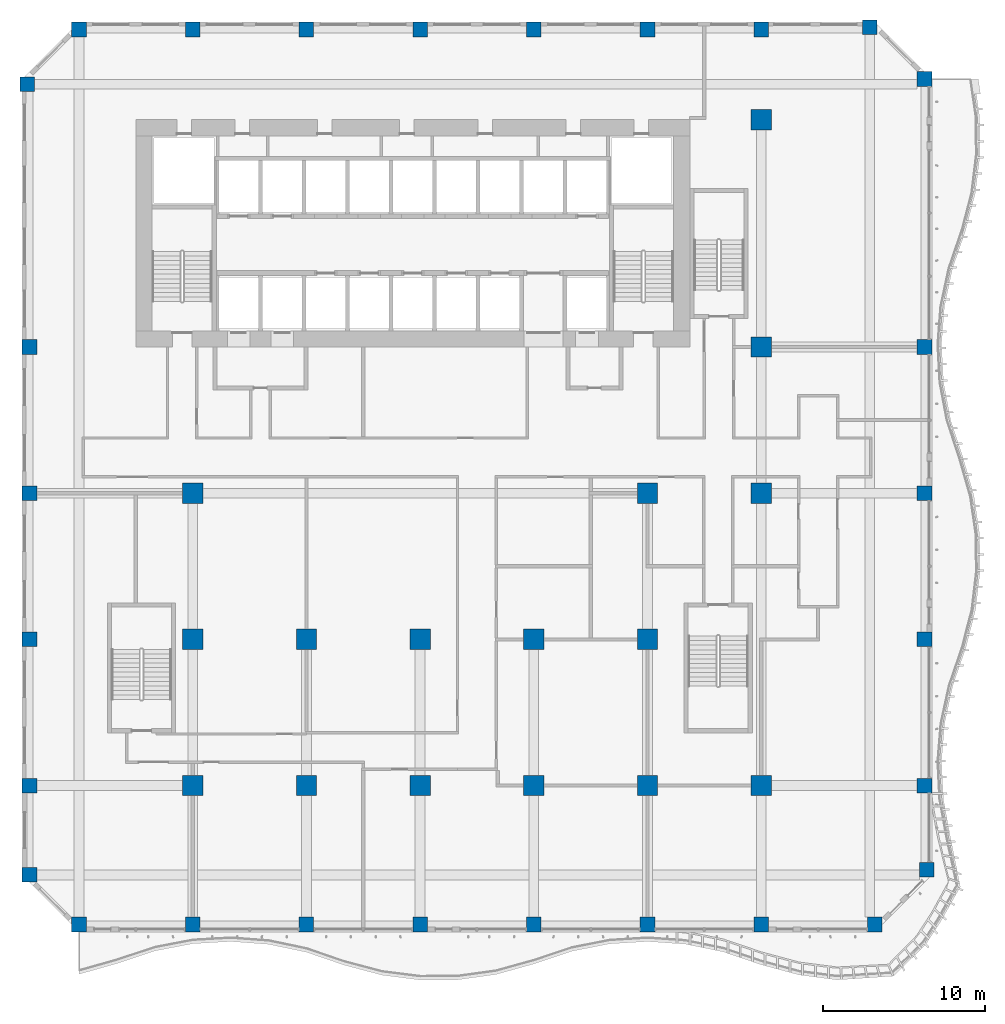
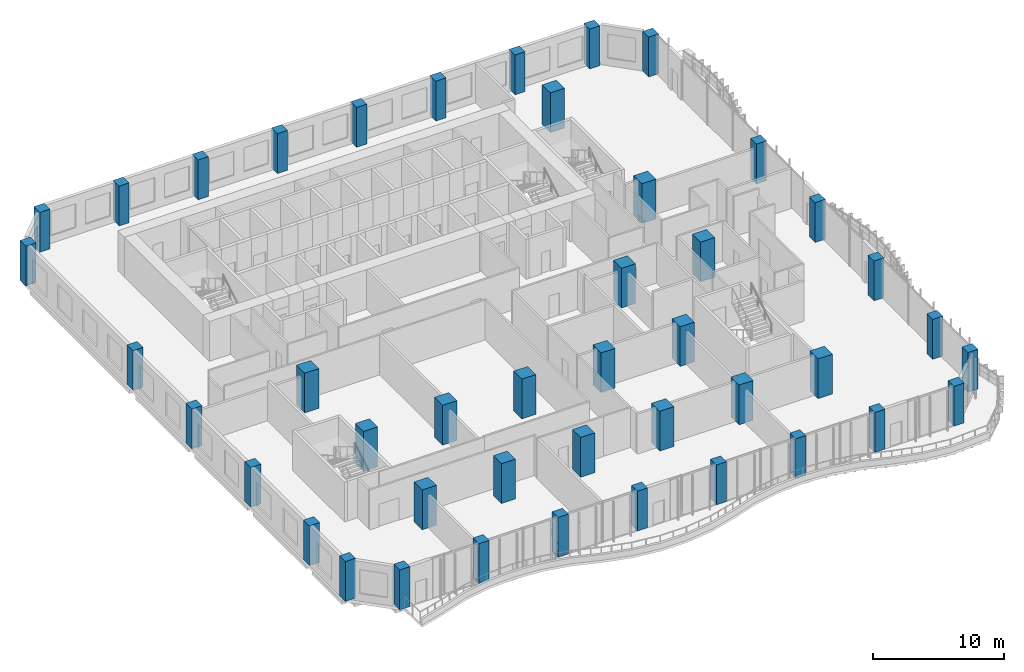
# One storey, part 1 of 28: 44 columns.
"""IFC4 building model written with IfcOpenShell, lengths in metres."""

from ifc_helpers import new_model, si_unit, direction, frame, origin, origin_2d, place, context, subcontext, project, spatial, rectangle, extrude, source, transform, mapped, material, material_profile, profile_set, type_object, element, save


model = new_model("IFC4")

# Units and contexts
model_context = context("Model", 3, precision=1e-05, world=origin(), true_north=direction((0.0, 1.0)))
body_context = subcontext(model_context, "Body", "Model", "MODEL_VIEW")
ifc_project = project(units=[si_unit("LENGTHUNIT", "METRE"), si_unit("AREAUNIT", "SQUARE_METRE"), si_unit("VOLUMEUNIT", "CUBIC_METRE"), si_unit("PLANEANGLEUNIT", "RADIAN"), si_unit("MASSUNIT", "GRAM", prefix="KILO")], contexts=[model_context])

# Site, building, storey
site_placement = place(None, origin())
site = spatial("IfcSite", under=ifc_project, at=site_placement, CompositionType="ELEMENT")
building_placement = place(site_placement, origin())
building = spatial("IfcBuilding", under=site, at=building_placement, Name="Kilnfold Tower and Market Hall", CompositionType="ELEMENT")
storey_placement = place(building_placement, frame((0.0, 0.0, 87.199951171875)))
storey = spatial("IfcBuildingStorey", under=building, at=storey_placement, Name="L20", CompositionType="ELEMENT", Elevation=87.199951171875)

# Columns
ifc_material_1 = material(Name="Concrete C80", Category="concrete")
ifc_material_profile_1 = material_profile(ifc_material_1, rectangle(XDim=0.89990234375, YDim=0.89990234375, at=origin_2d()), Name="RC 900x900")
ifc_profile_set_1 = profile_set([ifc_material_profile_1], Name="Concrete C80")
column_type_1 = type_object("IfcColumnType", Name="COLUMN 900X900 C80", PredefinedType="COLUMN", material=ifc_profile_set_1)
shared_shape_1 = source(origin(), body_context, "Body", "SweptSolid", [
    extrude(rectangle(XDim=0.89990234375, YDim=0.89990234375, at=origin_2d()), origin(), (0.0, 0.0, 1.0), 3.719970703125),
])
for number, where, z_axis, x_axis, name in (
    (1, (-22.681884765625, 24.181884765625, 0.0), (0.0, 0.0, 1.0), (1.0, 0.0, 0.0), "Column C-B2-1H"),
    (2, (-22.550048828125, -24.5, 0.0), (0.0, 0.0, 1.0), (1.0, 0.0, 0.0), "Column C-B2-1B"),
    (3, (-22.550048828125, -19.0, 0.0), (0.0, 0.0, 1.0), (1.0, 0.0, 0.0), "Column C-B2-1C"),
    (4, (-22.550048828125, -10.0, 0.0), (0.0, 0.0, 1.0), (1.0, 0.0, 0.0), "Column C-B2-1D"),
    (5, (-22.550048828125, -1.0, 0.0), (0.0, 0.0, 1.0), (1.0, 0.0, 0.0), "Column C-B2-1E"),
    (6, (-22.550048828125, 8.0, 0.0), (0.0, 0.0, 1.0), (1.0, 0.0, 0.0), "Column C-B2-1F"),
    (7, (-19.5, -27.550048828125, 0.0), (0.0, 0.0, 1.0), (1.0, 0.0, 0.0), "Column C-B2-2A"),
    (8, (-19.5, 27.550048828125, 0.0), (0.0, 0.0, 1.0), (1.0, 0.0, 0.0), "Column C-B2-2I"),
    (9, (-12.5, -27.550048828125, 0.0), (0.0, 0.0, 1.0), (1.0, 0.0, 0.0), "Column C-B2-3A"),
    (10, (-12.5, 27.550048828125, 0.0), (0.0, 0.0, 1.0), (1.0, 0.0, 0.0), "Column C-B2-3I"),
    (11, (-5.5, -27.550048828125, 0.0), (0.0, 0.0, 1.0), (1.0, 0.0, 0.0), "Column C-B2-4A"),
    (12, (-5.5, 27.550048828125, 0.0), (0.0, 0.0, 1.0), (1.0, 0.0, 0.0), "Column C-B2-4I"),
    (13, (1.5, -27.550048828125, 0.0), (0.0, 0.0, 1.0), (1.0, 0.0, 0.0), "Column C-B2-5A"),
    (14, (1.5, 27.550048828125, 0.0), (0.0, 0.0, 1.0), (1.0, 0.0, 0.0), "Column C-B2-5I"),
    (15, (8.5, -27.550048828125, 0.0), (0.0, 0.0, 1.0), (1.0, 0.0, 0.0), "Column C-B2-6A"),
    (16, (8.5, 27.550048828125, 0.0), (0.0, 0.0, 1.0), (1.0, 0.0, 0.0), "Column C-B2-6I"),
    (17, (15.5, -27.550048828125, 0.0), (0.0, 0.0, 1.0), (1.0, 0.0, 0.0), "Column C-B2-7A"),
    (18, (15.5, 27.550048828125, 0.0), (0.0, 0.0, 1.0), (1.0, 0.0, 0.0), "Column C-B2-7I"),
    (19, (22.5, -27.550048828125, 0.0), (0.0, 0.0, 1.0), (1.0, 0.0, 0.0), "Column C-B2-8A"),
    (20, (22.5, 27.550048828125, 0.0), (0.0, 0.0, 1.0), (1.0, 0.0, 0.0), "Column C-B2-8I"),
    (21, (29.181884765625, 27.681884765625, 0.0), (0.0, 0.0, 1.0), (1.0, 0.0, 0.0), "Column C-B2-9I"),
    (22, (29.5, -27.550048828125, 0.0), (0.0, 0.0, 1.0), (1.0, 0.0, 0.0), "Column C-B2-9A"),
    (23, (32.550048828125, -19.0, 0.0), (0.0, 0.0, 1.0), (1.0, 0.0, 0.0), "Column C-B2-10C"),
    (24, (32.550048828125, -10.0, 0.0), (0.0, 0.0, 1.0), (1.0, 0.0, 0.0), "Column C-B2-10D"),
    (25, (32.550048828125, -1.0, 0.0), (0.0, 0.0, 1.0), (1.0, 0.0, 0.0), "Column C-B2-10E"),
    (26, (32.550048828125, 8.0, 0.0), (0.0, 0.0, 1.0), (1.0, 0.0, 0.0), "Column C-B2-10F"),
    (27, (32.550048828125, 24.5, 0.0), (0.0, 0.0, 1.0), (1.0, 0.0, 0.0), "Column C-B2-10H"),
    (28, (32.681884765625, -24.181884765625, 0.0), (0.0, 0.0, 1.0), (1.0, 0.0, 0.0), "Column C-B2-10B"),
):
    element("IfcColumn", number, at=place(storey_placement, frame(where, z_axis=z_axis, x_axis=x_axis)), inside=storey, type_object=column_type_1, Name=name, PredefinedType="COLUMN", context=body_context, shape_type="MappedRepresentation", body=[
        mapped(shared_shape_1, transform((0.0, 0.0, 0.0))),
    ])
ifc_material_2 = material(Name="Concrete C80", Category="concrete")
ifc_material_profile_2 = material_profile(ifc_material_2, rectangle(XDim=1.25, YDim=1.25, at=origin_2d()), Name="RC 1250x1250")
ifc_profile_set_2 = profile_set([ifc_material_profile_2], Name="Concrete C80")
column_type_2 = type_object("IfcColumnType", Name="COLUMN 1250X1250 C80", PredefinedType="COLUMN", material=ifc_profile_set_2)
shared_shape_2 = source(origin(), body_context, "Body", "SweptSolid", [
    extrude(rectangle(XDim=1.25, YDim=1.25, at=origin_2d()), origin(), (0.0, 0.0, 1.0), 3.719970703125),
])
for number, where, z_axis, x_axis, name in (
    (29, (-12.5, -19.0, 0.0), (0.0, 0.0, 1.0), (1.0, 0.0, 0.0), "Column C-B2-3C"),
    (30, (-12.5, -10.0, 0.0), (0.0, 0.0, 1.0), (1.0, 0.0, 0.0), "Column C-B2-3D"),
    (31, (-12.5, -1.0, 0.0), (0.0, 0.0, 1.0), (1.0, 0.0, 0.0), "Column C-B2-3E"),
    (32, (-5.5, -19.0, 0.0), (0.0, 0.0, 1.0), (1.0, 0.0, 0.0), "Column C-B2-4C"),
    (33, (-5.5, -10.0, 0.0), (0.0, 0.0, 1.0), (1.0, 0.0, 0.0), "Column C-B2-4D"),
    (34, (1.5, -19.0, 0.0), (0.0, 0.0, 1.0), (1.0, 0.0, 0.0), "Column C-B2-5C"),
    (35, (1.5, -10.0, 0.0), (0.0, 0.0, 1.0), (1.0, 0.0, 0.0), "Column C-B2-5D"),
    (36, (8.5, -19.0, 0.0), (0.0, 0.0, 1.0), (1.0, 0.0, 0.0), "Column C-B2-6C"),
    (37, (8.5, -10.0, 0.0), (0.0, 0.0, 1.0), (1.0, 0.0, 0.0), "Column C-B2-6D"),
    (38, (15.5, -19.0, 0.0), (0.0, 0.0, 1.0), (1.0, 0.0, 0.0), "Column C-B2-7C"),
    (39, (15.5, -10.0, 0.0), (0.0, 0.0, 1.0), (1.0, 0.0, 0.0), "Column C-B2-7D"),
    (40, (15.5, -1.0, 0.0), (0.0, 0.0, 1.0), (1.0, 0.0, 0.0), "Column C-B2-7E"),
    (41, (22.5, -19.0, 0.0), (0.0, 0.0, 1.0), (1.0, 0.0, 0.0), "Column C-B2-8C"),
    (42, (22.5, -1.0, 0.0), (0.0, 0.0, 1.0), (1.0, 0.0, 0.0), "Column C-B2-8E"),
    (43, (22.5, 8.0, 0.0), (0.0, 0.0, 1.0), (1.0, 0.0, 0.0), "Column C-B2-8F"),
    (44, (22.5, 22.0, 0.0), (0.0, 0.0, 1.0), (1.0, 0.0, 0.0), "Column C-B2-8G"),
):
    element("IfcColumn", number, at=place(storey_placement, frame(where, z_axis=z_axis, x_axis=x_axis)), inside=storey, type_object=column_type_2, Name=name, PredefinedType="COLUMN", context=body_context, shape_type="MappedRepresentation", body=[
        mapped(shared_shape_2, transform((0.0, 0.0, 0.0))),
    ])

save(model, "model.ifc")
